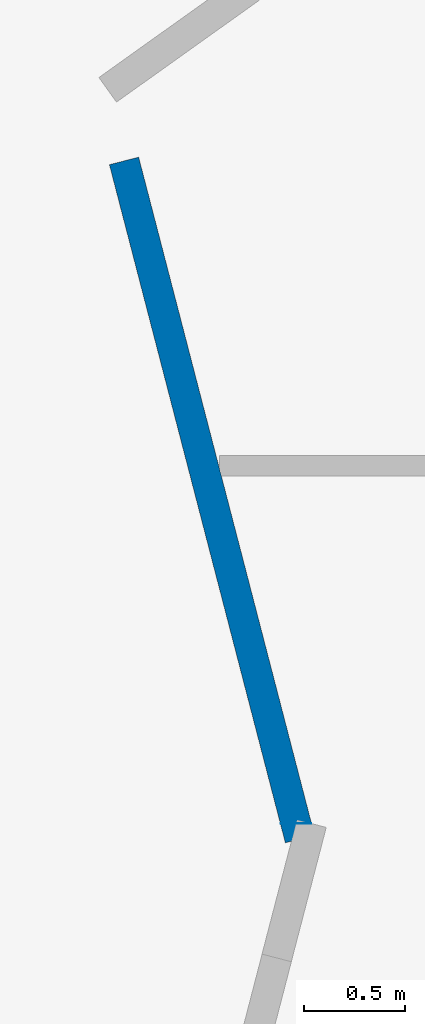
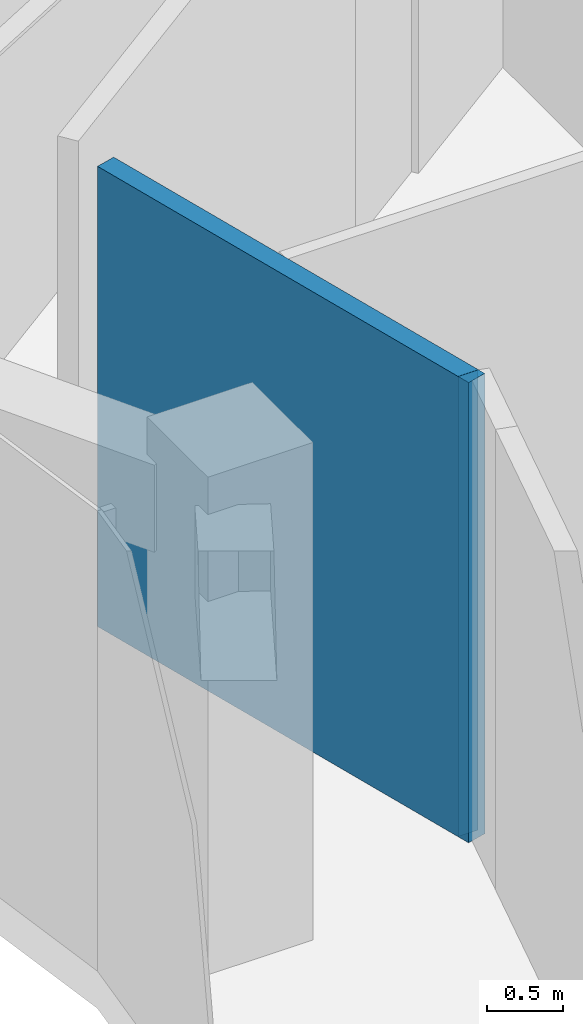
# One storey, part 7 of 18: 2 walls.
"""IFC4 building model written with IfcOpenShell, lengths in metres."""

from ifc_helpers import new_model, si_unit, direction, frame, frame_2d, origin, place, context, subcontext, project, spatial, rectangle, extrude, material, layer, layer_set, type_object, element, save


model = new_model("IFC4")

# Units and contexts
model_context = context("Model", 3, precision=1e-05, world=origin(), true_north=direction((0.0, 1.0)))
body_context = subcontext(model_context, "Body", "Model", "MODEL_VIEW")
ifc_project = project(units=[si_unit("LENGTHUNIT", "METRE"), si_unit("AREAUNIT", "SQUARE_METRE"), si_unit("VOLUMEUNIT", "CUBIC_METRE"), si_unit("PLANEANGLEUNIT", "RADIAN"), si_unit("MASSUNIT", "GRAM", prefix="KILO")], contexts=[model_context])

# Site, building, storey
site_placement = place(None, origin())
site = spatial("IfcSite", under=ifc_project, at=site_placement, CompositionType="ELEMENT")
building_placement = place(site_placement, origin())
building = spatial("IfcBuilding", under=site, at=building_placement, Name="Noorbagh Ring Tower", CompositionType="ELEMENT")
storey_placement = place(building_placement, frame((0.0, 0.0, 319.0)))
storey = spatial("IfcBuildingStorey", under=building, at=storey_placement, Name="L69", CompositionType="ELEMENT", Elevation=319.0)

# Walls
ifc_material = material(Name="Gypsum board on steel studs", Category="steel")
ifc_layer = layer(ifc_material, 0.14990234375)
ifc_layer_set = layer_set([ifc_layer], Name="Gypsum board on steel studs")
wall_type = type_object("IfcWallType", Name="CORRIDOR PARTITION 150 EI 30", PredefinedType="PARTITIONING", material=ifc_layer_set)
wall_1_placement = place(storey_placement, frame((11.051025390625, 3.445068359375, 0.0), z_axis=(0.0, 0.0, 1.0), x_axis=(0.251098315815, -0.967961587975, 0.0)))
element("IfcWall", 1, at=wall_1_placement, inside=storey, type_object=wall_type, Name="L69/wall/P71", PredefinedType="PARTITIONING", context=body_context, shape_type="SweptSolid", body=[
    extrude(rectangle(XDim=3.484619140625, YDim=0.14990234375, at=frame_2d((1.7421875, 0.0))), origin(), (0.0, 0.0, 1.0), 3.699951171875),
])
wall_2_placement = place(storey_placement, frame((11.906005859375, 0.15087890625, 0.0), z_axis=(0.0, 0.0, 1.0), x_axis=(0.0, -1.0, 0.0)))
element("IfcWall", 2, at=wall_2_placement, inside=storey, type_object=wall_type, Name="L69/wall/P74", PredefinedType="PARTITIONING", context=body_context, shape_type="SweptSolid", body=[
    extrude(rectangle(XDim=0.001953125, YDim=0.14990234375, at=frame_2d((0.0009765625, 0.0))), origin(), (0.0, 0.0, 1.0), 3.699951171875),
])

save(model, "model.ifc")
